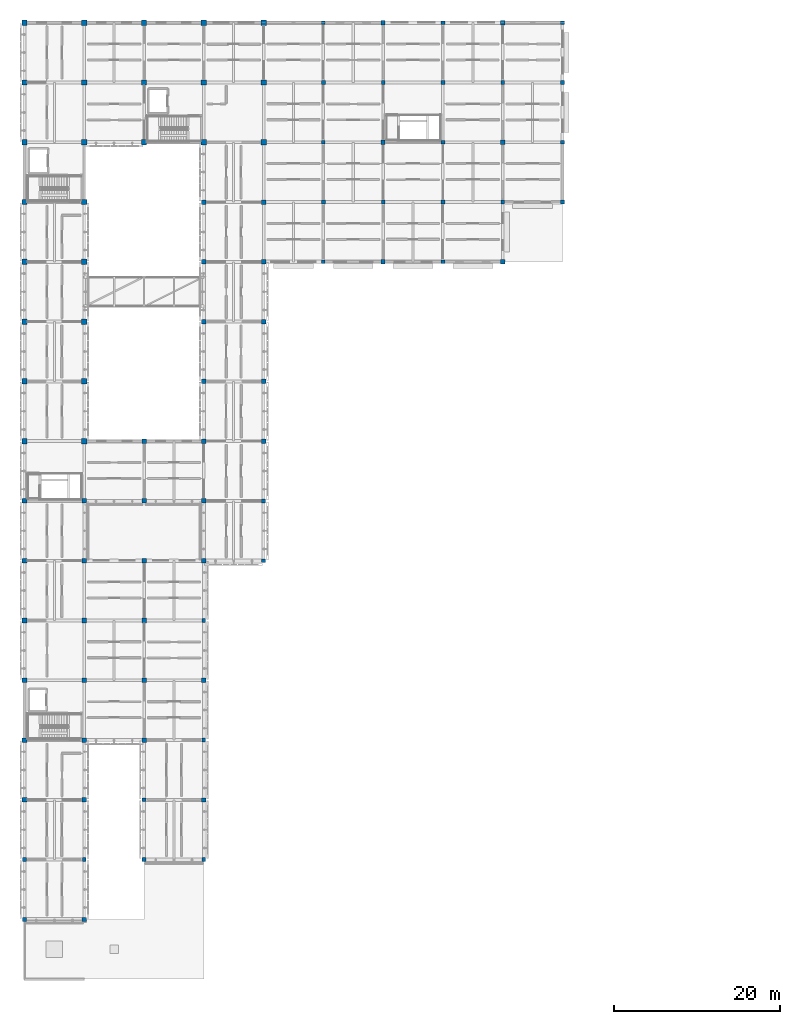
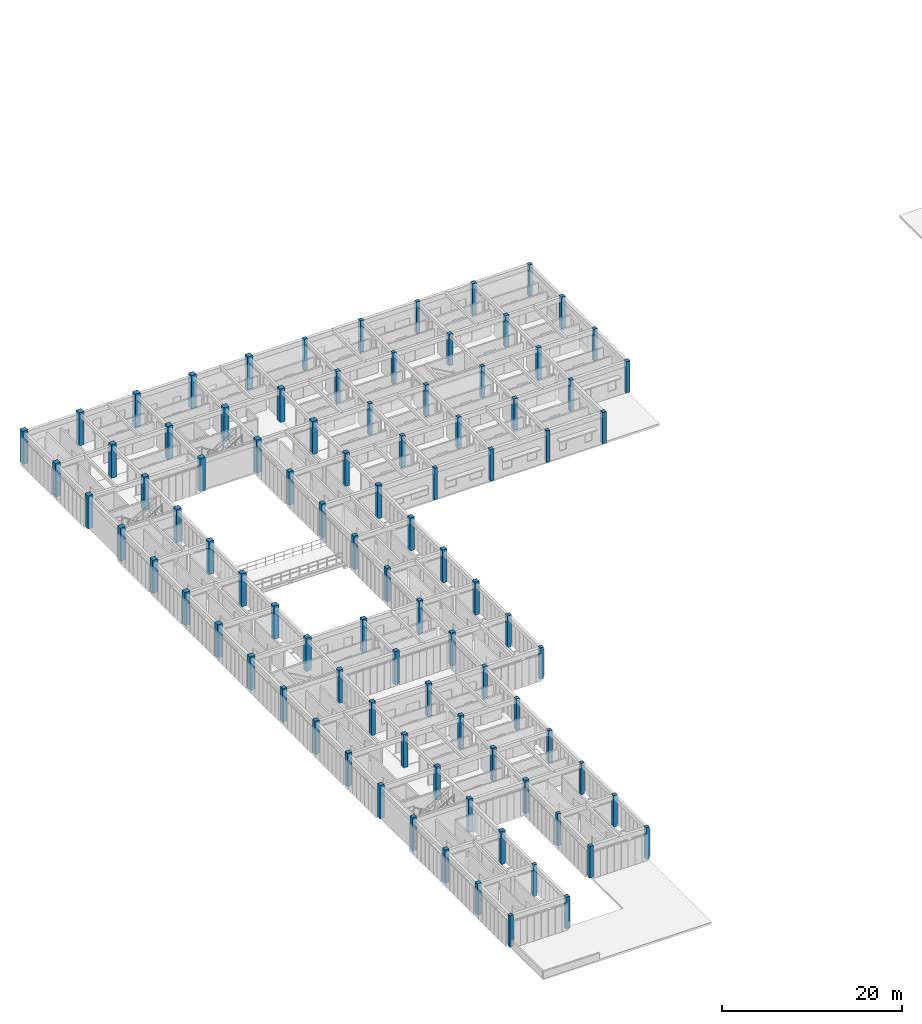
# One storey, part 1 of 91: 92 columns.
"""IFC4 building model written with IfcOpenShell, lengths in metres."""

from ifc_helpers import new_model, si_unit, direction, frame, origin, origin_2d, place, context, subcontext, project, spatial, rectangle, extrude, material, material_profile, profile_set, type_object, element, save


model = new_model("IFC4")

# Units and contexts
model_context = context("Model", 3, precision=1e-05, world=origin(), true_north=direction((0.0, 1.0)))
body_context = subcontext(model_context, "Body", "Model", "MODEL_VIEW")
ifc_project = project(units=[si_unit("LENGTHUNIT", "METRE"), si_unit("AREAUNIT", "SQUARE_METRE"), si_unit("VOLUMEUNIT", "CUBIC_METRE"), si_unit("PLANEANGLEUNIT", "RADIAN"), si_unit("MASSUNIT", "GRAM", prefix="KILO")], contexts=[model_context])

# Site, building, storey
site_placement = place(None, origin())
site = spatial("IfcSite", under=ifc_project, at=site_placement, CompositionType="ELEMENT")
building_placement = place(site_placement, origin())
building = spatial("IfcBuilding", under=site, at=building_placement, Name="Aldebral Square Health Centre", CompositionType="ELEMENT")
storey_placement = place(building_placement, frame((0.0, 0.0, 9.0)))
storey = spatial("IfcBuildingStorey", under=building, at=storey_placement, Name="L02", CompositionType="ELEMENT", Elevation=9.0)

# Columns
ifc_material = material(Name="Concrete C40/50", Category="concrete")
ifc_material_profile_1 = material_profile(ifc_material, rectangle(XDim=0.64990234375, YDim=0.64990234375, at=origin_2d()), Name="RC 650x650")
ifc_profile_set_1 = profile_set([ifc_material_profile_1], Name="Concrete C40/50")
column_type_1 = type_object("IfcColumnType", Name="COL-C2", PredefinedType="COLUMN", material=ifc_profile_set_1)
for number, where, z_axis, x_axis, name in (
    (1, (0.0, 64.800048828125, 0.0), (0.0, 0.0, 1.0), (1.0, 0.0, 0.0), "L02 column 1/10"),
    (2, (0.0, 72.0, 0.0), (0.0, 0.0, 1.0), (1.0, 0.0, 0.0), "L02 column 1/11"),
    (3, (0.0, 79.199951171875, 0.0), (0.0, 0.0, 1.0), (1.0, 0.0, 0.0), "L02 column 1/12"),
    (4, (0.0, 86.39990234375, 0.0), (0.0, 0.0, 1.0), (1.0, 0.0, 0.0), "L02 column 1/13"),
    (5, (0.0, 93.60009765625, 0.0), (0.0, 0.0, 1.0), (1.0, 0.0, 0.0), "L02 column 1/14"),
    (6, (0.0, 100.800048828125, 0.0), (0.0, 0.0, 1.0), (1.0, 0.0, 0.0), "L02 column 1/15"),
    (7, (0.0, 108.0, 0.0), (0.0, 0.0, 1.0), (1.0, 0.0, 0.0), "L02 column 1/16"),
    (8, (0.0, 115.199951171875, 0.0), (0.0, 0.0, 1.0), (1.0, 0.0, 0.0), "L02 column 1/17"),
    (9, (7.199951171875, 64.800048828125, 0.0), (0.0, 0.0, 1.0), (1.0, 0.0, 0.0), "L02 column 2/10"),
    (10, (7.199951171875, 72.0, 0.0), (0.0, 0.0, 1.0), (1.0, 0.0, 0.0), "L02 column 2/11"),
    (11, (7.199951171875, 79.199951171875, 0.0), (0.0, 0.0, 1.0), (1.0, 0.0, 0.0), "L02 column 2/12"),
    (12, (7.199951171875, 86.39990234375, 0.0), (0.0, 0.0, 1.0), (1.0, 0.0, 0.0), "L02 column 2/13"),
    (13, (7.199951171875, 93.60009765625, 0.0), (0.0, 0.0, 1.0), (1.0, 0.0, 0.0), "L02 column 2/14"),
    (14, (7.199951171875, 100.800048828125, 0.0), (0.0, 0.0, 1.0), (1.0, 0.0, 0.0), "L02 column 2/15"),
    (15, (7.199951171875, 108.0, 0.0), (0.0, 0.0, 1.0), (1.0, 0.0, 0.0), "L02 column 2/16"),
    (16, (7.199951171875, 115.199951171875, 0.0), (0.0, 0.0, 1.0), (1.0, 0.0, 0.0), "L02 column 2/17"),
    (17, (14.39990234375, 100.800048828125, 0.0), (0.0, 0.0, 1.0), (1.0, 0.0, 0.0), "L02 column 3/15"),
    (18, (14.39990234375, 108.0, 0.0), (0.0, 0.0, 1.0), (1.0, 0.0, 0.0), "L02 column 3/16"),
    (19, (14.39990234375, 115.199951171875, 0.0), (0.0, 0.0, 1.0), (1.0, 0.0, 0.0), "L02 column 3/17"),
    (20, (21.60009765625, 100.800048828125, 0.0), (0.0, 0.0, 1.0), (1.0, 0.0, 0.0), "L02 column 4/15"),
    (21, (21.60009765625, 108.0, 0.0), (0.0, 0.0, 1.0), (1.0, 0.0, 0.0), "L02 column 4/16"),
    (22, (21.60009765625, 115.199951171875, 0.0), (0.0, 0.0, 1.0), (1.0, 0.0, 0.0), "L02 column 4/17"),
    (23, (28.800048828125, 100.800048828125, 0.0), (0.0, 0.0, 1.0), (1.0, 0.0, 0.0), "L02 column 5/15"),
    (24, (28.800048828125, 108.0, 0.0), (0.0, 0.0, 1.0), (1.0, 0.0, 0.0), "L02 column 5/16"),
    (25, (28.800048828125, 115.199951171875, 0.0), (0.0, 0.0, 1.0), (1.0, 0.0, 0.0), "L02 column 5/17"),
):
    element("IfcColumn", number, at=place(storey_placement, frame(where, z_axis=z_axis, x_axis=x_axis)), inside=storey, type_object=column_type_1, Name=name, PredefinedType="COLUMN", context=body_context, shape_type="SweptSolid", body=[
        extrude(rectangle(XDim=0.64990234375, YDim=0.64990234375, at=origin_2d()), origin(), (0.0, 0.0, 1.0), 4.5),
    ])
ifc_material_profile_2 = material_profile(ifc_material, rectangle(XDim=0.550048828125, YDim=0.550048828125, at=origin_2d()), Name="RC 550x550")
ifc_profile_set_2 = profile_set([ifc_material_profile_2], Name="Concrete C40/50")
column_type_2 = type_object("IfcColumnType", Name="COL-C4", PredefinedType="COLUMN", material=ifc_profile_set_2)
for number, where, z_axis, x_axis, name in (
    (26, (0.0, 21.60009765625, 0.0), (0.0, 0.0, 1.0), (1.0, 0.0, 0.0), "L02 column 1/4"),
    (27, (0.0, 28.800048828125, 0.0), (0.0, 0.0, 1.0), (1.0, 0.0, 0.0), "L02 column 1/5"),
    (28, (0.0, 36.0, 0.0), (0.0, 0.0, 1.0), (1.0, 0.0, 0.0), "L02 column 1/6"),
    (29, (0.0, 43.199951171875, 0.0), (0.0, 0.0, 1.0), (1.0, 0.0, 0.0), "L02 column 1/7"),
    (30, (0.0, 50.39990234375, 0.0), (0.0, 0.0, 1.0), (1.0, 0.0, 0.0), "L02 column 1/8"),
    (31, (0.0, 57.60009765625, 0.0), (0.0, 0.0, 1.0), (1.0, 0.0, 0.0), "L02 column 1/9"),
    (32, (7.199951171875, 21.60009765625, 0.0), (0.0, 0.0, 1.0), (1.0, 0.0, 0.0), "L02 column 2/4"),
    (33, (7.199951171875, 28.800048828125, 0.0), (0.0, 0.0, 1.0), (1.0, 0.0, 0.0), "L02 column 2/5"),
    (34, (7.199951171875, 36.0, 0.0), (0.0, 0.0, 1.0), (1.0, 0.0, 0.0), "L02 column 2/6"),
    (35, (7.199951171875, 43.199951171875, 0.0), (0.0, 0.0, 1.0), (1.0, 0.0, 0.0), "L02 column 2/7"),
    (36, (7.199951171875, 50.39990234375, 0.0), (0.0, 0.0, 1.0), (1.0, 0.0, 0.0), "L02 column 2/8"),
    (37, (7.199951171875, 57.60009765625, 0.0), (0.0, 0.0, 1.0), (1.0, 0.0, 0.0), "L02 column 2/9"),
    (38, (14.39990234375, 28.800048828125, 0.0), (0.0, 0.0, 1.0), (1.0, 0.0, 0.0), "L02 column 3/5"),
    (39, (14.39990234375, 36.0, 0.0), (0.0, 0.0, 1.0), (1.0, 0.0, 0.0), "L02 column 3/6"),
    (40, (14.39990234375, 43.199951171875, 0.0), (0.0, 0.0, 1.0), (1.0, 0.0, 0.0), "L02 column 3/7"),
    (41, (14.39990234375, 50.39990234375, 0.0), (0.0, 0.0, 1.0), (1.0, 0.0, 0.0), "L02 column 3/8"),
    (42, (14.39990234375, 57.60009765625, 0.0), (0.0, 0.0, 1.0), (1.0, 0.0, 0.0), "L02 column 3/9"),
    (43, (14.39990234375, 64.800048828125, 0.0), (0.0, 0.0, 1.0), (1.0, 0.0, 0.0), "L02 column 3/10"),
    (44, (21.60009765625, 57.60009765625, 0.0), (0.0, 0.0, 1.0), (1.0, 0.0, 0.0), "L02 column 4/9"),
    (45, (21.60009765625, 64.800048828125, 0.0), (0.0, 0.0, 1.0), (1.0, 0.0, 0.0), "L02 column 4/10"),
    (46, (21.60009765625, 72.0, 0.0), (0.0, 0.0, 1.0), (1.0, 0.0, 0.0), "L02 column 4/11"),
    (47, (21.60009765625, 79.199951171875, 0.0), (0.0, 0.0, 1.0), (1.0, 0.0, 0.0), "L02 column 4/12"),
    (48, (21.60009765625, 86.39990234375, 0.0), (0.0, 0.0, 1.0), (1.0, 0.0, 0.0), "L02 column 4/13"),
    (49, (21.60009765625, 93.60009765625, 0.0), (0.0, 0.0, 1.0), (1.0, 0.0, 0.0), "L02 column 4/14"),
    (50, (28.800048828125, 64.800048828125, 0.0), (0.0, 0.0, 1.0), (1.0, 0.0, 0.0), "L02 column 5/10"),
    (51, (28.800048828125, 72.0, 0.0), (0.0, 0.0, 1.0), (1.0, 0.0, 0.0), "L02 column 5/11"),
    (52, (28.800048828125, 79.199951171875, 0.0), (0.0, 0.0, 1.0), (1.0, 0.0, 0.0), "L02 column 5/12"),
    (53, (28.800048828125, 86.39990234375, 0.0), (0.0, 0.0, 1.0), (1.0, 0.0, 0.0), "L02 column 5/13"),
    (54, (28.800048828125, 93.60009765625, 0.0), (0.0, 0.0, 1.0), (1.0, 0.0, 0.0), "L02 column 5/14"),
):
    element("IfcColumn", number, at=place(storey_placement, frame(where, z_axis=z_axis, x_axis=x_axis)), inside=storey, type_object=column_type_2, Name=name, PredefinedType="COLUMN", context=body_context, shape_type="SweptSolid", body=[
        extrude(rectangle(XDim=0.550048828125, YDim=0.550048828125, at=origin_2d()), origin(), (0.0, 0.0, 1.0), 4.5),
    ])
ifc_material_profile_3 = material_profile(ifc_material, rectangle(XDim=0.5, YDim=0.5, at=origin_2d()), Name="RC 500x500")
ifc_profile_set_3 = profile_set([ifc_material_profile_3], Name="Concrete C40/50")
column_type_3 = type_object("IfcColumnType", Name="COL-C5", PredefinedType="COLUMN", material=ifc_profile_set_3)
for number, where, z_axis, x_axis, name in (
    (55, (0.0, 14.39990234375, 0.0), (0.0, 0.0, 1.0), (1.0, 0.0, 0.0), "L02 column 1/3"),
    (56, (7.199951171875, 7.199951171875, 0.0), (0.0, 0.0, 1.0), (1.0, 0.0, 0.0), "L02 column 2/2"),
    (57, (14.39990234375, 14.39990234375, 0.0), (0.0, 0.0, 1.0), (1.0, 0.0, 0.0), "L02 column 3/3"),
    (58, (21.60009765625, 21.60009765625, 0.0), (0.0, 0.0, 1.0), (1.0, 0.0, 0.0), "L02 column 4/4"),
    (59, (21.60009765625, 36.0, 0.0), (0.0, 0.0, 1.0), (1.0, 0.0, 0.0), "L02 column 4/6"),
    (60, (21.60009765625, 50.39990234375, 0.0), (0.0, 0.0, 1.0), (1.0, 0.0, 0.0), "L02 column 4/8"),
    (61, (28.800048828125, 57.60009765625, 0.0), (0.0, 0.0, 1.0), (1.0, 0.0, 0.0), "L02 column 5/9"),
    (62, (36.0, 93.60009765625, 0.0), (0.0, 0.0, 1.0), (1.0, 0.0, 0.0), "L02 column 6/14"),
    (63, (36.0, 108.0, 0.0), (0.0, 0.0, 1.0), (1.0, 0.0, 0.0), "L02 column 6/16"),
    (64, (43.199951171875, 86.39990234375, 0.0), (0.0, 0.0, 1.0), (1.0, 0.0, 0.0), "L02 column 7/13"),
    (65, (43.199951171875, 100.800048828125, 0.0), (0.0, 0.0, 1.0), (1.0, 0.0, 0.0), "L02 column 7/15"),
    (66, (43.199951171875, 115.199951171875, 0.0), (0.0, 0.0, 1.0), (1.0, 0.0, 0.0), "L02 column 7/17"),
    (67, (50.39990234375, 93.60009765625, 0.0), (0.0, 0.0, 1.0), (1.0, 0.0, 0.0), "L02 column 8/14"),
    (68, (50.39990234375, 108.0, 0.0), (0.0, 0.0, 1.0), (1.0, 0.0, 0.0), "L02 column 8/16"),
    (69, (57.60009765625, 86.39990234375, 0.0), (0.0, 0.0, 1.0), (1.0, 0.0, 0.0), "L02 column 9/13"),
    (70, (57.60009765625, 100.800048828125, 0.0), (0.0, 0.0, 1.0), (1.0, 0.0, 0.0), "L02 column 9/15"),
    (71, (57.60009765625, 115.199951171875, 0.0), (0.0, 0.0, 1.0), (1.0, 0.0, 0.0), "L02 column 9/17"),
    (72, (64.800048828125, 93.60009765625, 0.0), (0.0, 0.0, 1.0), (1.0, 0.0, 0.0), "L02 column 10/14"),
    (73, (64.800048828125, 108.0, 0.0), (0.0, 0.0, 1.0), (1.0, 0.0, 0.0), "L02 column 10/16"),
):
    element("IfcColumn", number, at=place(storey_placement, frame(where, z_axis=z_axis, x_axis=x_axis)), inside=storey, type_object=column_type_3, Name=name, PredefinedType="COLUMN", context=body_context, shape_type="SweptSolid", body=[
        extrude(rectangle(XDim=0.5, YDim=0.5, at=origin_2d()), origin(), (0.0, 0.0, 1.0), 4.280029296875),
    ])
ifc_material_profile_4 = material_profile(ifc_material, rectangle(XDim=0.449951171875, YDim=0.449951171875, at=origin_2d()), Name="RC 450x450")
ifc_profile_set_4 = profile_set([ifc_material_profile_4], Name="Concrete C40/50")
column_type_4 = type_object("IfcColumnType", Name="COL-C6", PredefinedType="COLUMN", material=ifc_profile_set_4)
for number, where, z_axis, x_axis, name in (
    (74, (0.0, 7.199951171875, 0.0), (0.0, 0.0, 1.0), (1.0, 0.0, 0.0), "L02 column 1/2"),
    (75, (7.199951171875, 14.39990234375, 0.0), (0.0, 0.0, 1.0), (1.0, 0.0, 0.0), "L02 column 2/3"),
    (76, (14.39990234375, 21.60009765625, 0.0), (0.0, 0.0, 1.0), (1.0, 0.0, 0.0), "L02 column 3/4"),
    (77, (21.60009765625, 14.39990234375, 0.0), (0.0, 0.0, 1.0), (1.0, 0.0, 0.0), "L02 column 4/3"),
    (78, (21.60009765625, 28.800048828125, 0.0), (0.0, 0.0, 1.0), (1.0, 0.0, 0.0), "L02 column 4/5"),
    (79, (21.60009765625, 43.199951171875, 0.0), (0.0, 0.0, 1.0), (1.0, 0.0, 0.0), "L02 column 4/7"),
    (80, (28.800048828125, 50.39990234375, 0.0), (0.0, 0.0, 1.0), (1.0, 0.0, 0.0), "L02 column 5/8"),
    (81, (36.0, 86.39990234375, 0.0), (0.0, 0.0, 1.0), (1.0, 0.0, 0.0), "L02 column 6/13"),
    (82, (36.0, 100.800048828125, 0.0), (0.0, 0.0, 1.0), (1.0, 0.0, 0.0), "L02 column 6/15"),
    (83, (36.0, 115.199951171875, 0.0), (0.0, 0.0, 1.0), (1.0, 0.0, 0.0), "L02 column 6/17"),
    (84, (43.199951171875, 93.60009765625, 0.0), (0.0, 0.0, 1.0), (1.0, 0.0, 0.0), "L02 column 7/14"),
    (85, (43.199951171875, 108.0, 0.0), (0.0, 0.0, 1.0), (1.0, 0.0, 0.0), "L02 column 7/16"),
    (86, (50.39990234375, 86.39990234375, 0.0), (0.0, 0.0, 1.0), (1.0, 0.0, 0.0), "L02 column 8/13"),
    (87, (50.39990234375, 100.800048828125, 0.0), (0.0, 0.0, 1.0), (1.0, 0.0, 0.0), "L02 column 8/15"),
    (88, (50.39990234375, 115.199951171875, 0.0), (0.0, 0.0, 1.0), (1.0, 0.0, 0.0), "L02 column 8/17"),
    (89, (57.60009765625, 93.60009765625, 0.0), (0.0, 0.0, 1.0), (1.0, 0.0, 0.0), "L02 column 9/14"),
    (90, (57.60009765625, 108.0, 0.0), (0.0, 0.0, 1.0), (1.0, 0.0, 0.0), "L02 column 9/16"),
    (91, (64.800048828125, 100.800048828125, 0.0), (0.0, 0.0, 1.0), (1.0, 0.0, 0.0), "L02 column 10/15"),
    (92, (64.800048828125, 115.199951171875, 0.0), (0.0, 0.0, 1.0), (1.0, 0.0, 0.0), "L02 column 10/17"),
):
    element("IfcColumn", number, at=place(storey_placement, frame(where, z_axis=z_axis, x_axis=x_axis)), inside=storey, type_object=column_type_4, Name=name, PredefinedType="COLUMN", context=body_context, shape_type="SweptSolid", body=[
        extrude(rectangle(XDim=0.449951171875, YDim=0.449951171875, at=origin_2d()), origin(), (0.0, 0.0, 1.0), 4.280029296875),
    ])

save(model, "model.ifc")
